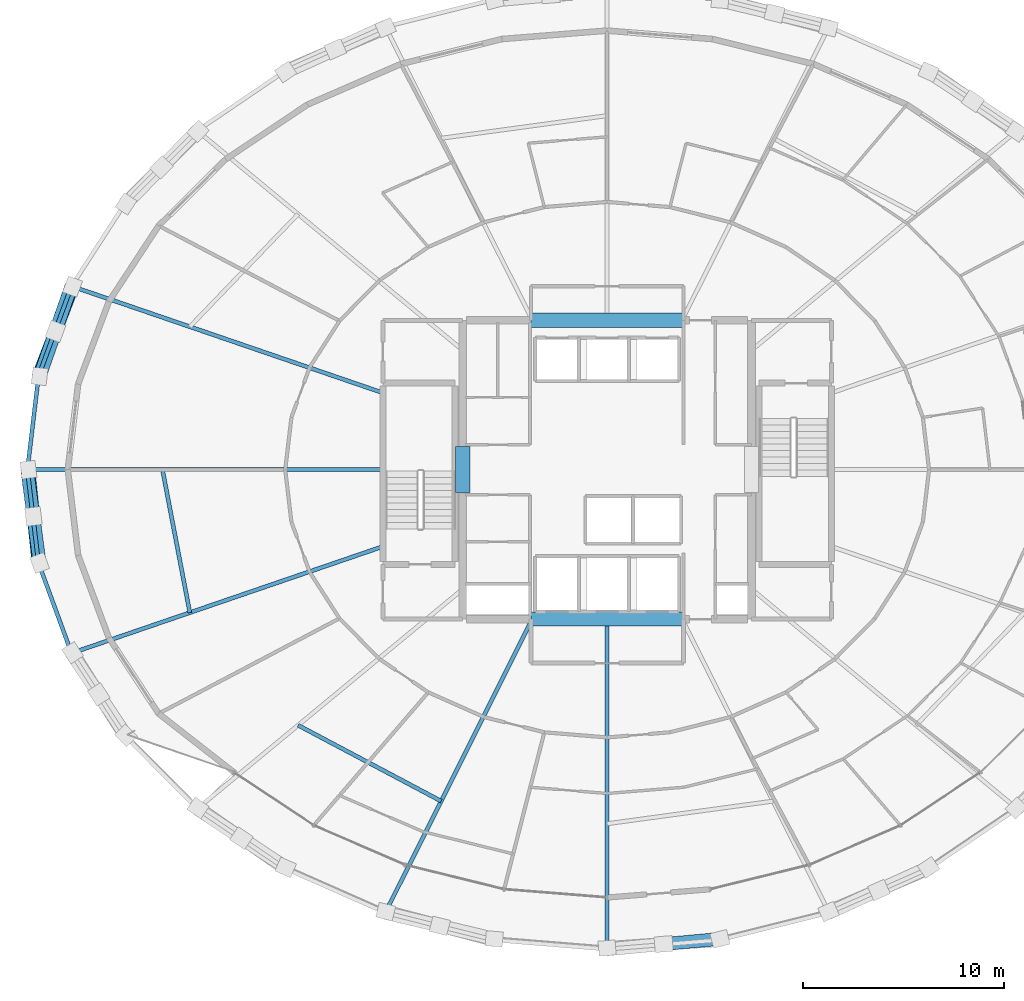
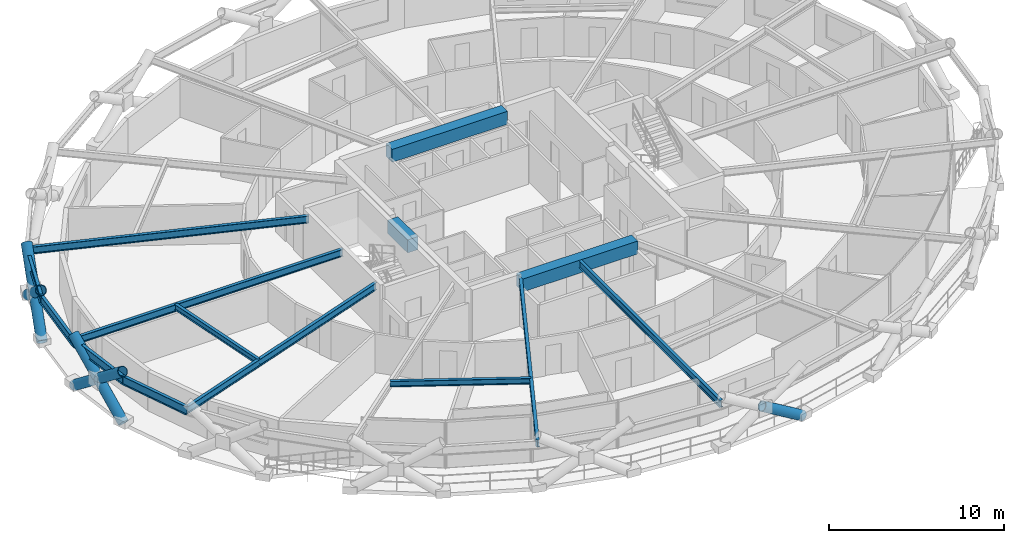
# One storey, part 6 of 21: 14 beams, 7 members.
"""IFC4 building model written with IfcOpenShell, lengths in metres."""

import ifcopenshell
import ifcopenshell.guid

model = None  # the IFC model being written
_history = None  # IfcOwnerHistory: only IFC2X3 demands one
_inside = {}  # id of a spatial element -> (the spatial element, [elements in it])
_under = {}  # id of a project, library or spatial element -> (it, [spatial elements below it])
_declared = {}  # id of a project -> (the project, [libraries it declares])
_typed = {}  # id of a type object -> (the type object, [elements of that type])
_made_of = {}  # id of a material, layer set ... -> (it, [elements and type objects made of it])


def new_model(schema):
    """Start an empty IFC model of exactly this schema.

    Asked for "IFC4X3", IfcOpenShell would pick the latest addendum, in which some entities
    have other attributes; the version numbers below select the first issue.
    IFC2X3 requires an IfcOwnerHistory on every rooted entity: one is made here for all.
    """
    global model, _history
    if schema == "IFC4X3":
        model = ifcopenshell.file(schema_version=(4, 3, 0, 0))
    else:
        model = ifcopenshell.file(schema=schema)
    _inside.clear()
    _under.clear()
    _declared.clear()
    _typed.clear()
    _made_of.clear()
    _history = None
    if model.schema == "IFC2X3":
        org = make("IfcOrganization", Name="unknown")
        user = make(
            "IfcPersonAndOrganization",
            ThePerson=make("IfcPerson", FamilyName="unknown"),
            TheOrganization=org,
        )
        app = make(
            "IfcApplication",
            ApplicationDeveloper=org,
            Version="unknown",
            ApplicationFullName="unknown",
            ApplicationIdentifier="unknown",
        )
        _history = make(
            "IfcOwnerHistory",
            OwningUser=user,
            OwningApplication=app,
            ChangeAction="ADDED",
            CreationDate=0,
        )
    return model


def make(cls, **values):
    """One entity of the class cls with the attributes given. An attribute that is None is left unset."""
    return model.create_entity(
        cls, **{name: value for name, value in values.items() if value is not None}
    )


def rooted(cls, **values):
    """An entity with a GlobalId (a new one), such as an element, a storey or a relation."""
    return make(cls, GlobalId=ifcopenshell.guid.new(), OwnerHistory=_history, **values)


def si_unit(unit_type, name, prefix=None):
    """IfcSIUnit, for example si_unit("LENGTHUNIT", "METRE", prefix="MILLI")."""
    return make("IfcSIUnit", UnitType=unit_type, Prefix=prefix, Name=name)


def assignment(units):
    """IfcUnitAssignment: the units of a project."""
    return None if units is None else make("IfcUnitAssignment", Units=units)


def point(xyz):
    """IfcCartesianPoint."""
    return None if xyz is None else make("IfcCartesianPoint", Coordinates=xyz)


def direction(xyz):
    """IfcDirection."""
    return None if xyz is None else make("IfcDirection", DirectionRatios=xyz)


def frame(location, z_axis=None, x_axis=None):
    """IfcAxis2Placement3D, a coordinate frame: its origin and axes. An axis left out is left unset."""
    return make(
        "IfcAxis2Placement3D",
        Location=point(location),
        Axis=direction(z_axis),
        RefDirection=direction(x_axis),
    )


def frame_2d(location, x_axis=None):
    """IfcAxis2Placement2D, a coordinate frame in the plane: its origin and x axis."""
    return make(
        "IfcAxis2Placement2D", Location=point(location), RefDirection=direction(x_axis)
    )


def origin():
    """The frame at (0, 0, 0) with its axes left unset."""
    return frame((0.0, 0.0, 0.0))


def origin_2d():
    """The frame at (0, 0) in the plane with its x axis left unset."""
    return frame_2d((0.0, 0.0))


def place(relative_to, where):
    """IfcLocalPlacement: puts the frame where relative to a parent placement (None: the world)."""
    return make(
        "IfcLocalPlacement", PlacementRelTo=relative_to, RelativePlacement=where
    )


def context(
    kind, dimensions, precision=None, world=None, true_north=None, identifier=None
):
    """IfcGeometricRepresentationContext, for example the 3D "Model" context."""
    return make(
        "IfcGeometricRepresentationContext",
        ContextIdentifier=identifier,
        ContextType=kind,
        CoordinateSpaceDimension=dimensions,
        Precision=precision,
        WorldCoordinateSystem=world,
        TrueNorth=true_north,
    )


def subcontext(parent, identifier, kind, view, scale=None):
    """IfcGeometricRepresentationSubContext, for example "Body" below "Model"."""
    return make(
        "IfcGeometricRepresentationSubContext",
        ContextIdentifier=identifier,
        ContextType=kind,
        ParentContext=parent,
        TargetScale=scale,
        TargetView=view,
    )


def project(units=None, contexts=None):
    """IfcProject with its units and contexts."""
    return rooted(
        "IfcProject",
        Name="project",
        RepresentationContexts=contexts,
        UnitsInContext=assignment(units),
    )


def spatial(cls, under=None, at=None, **own):
    """A site, building, storey or space (cls), placed at a placement, below another one or the project."""
    s = rooted(cls, ObjectPlacement=at, **own)
    if under is not None:
        _under.setdefault(under.id(), (under, []))[1].append(s)
    return s


def profile(cls, at=None, kind="AREA", **sizes):
    """A parametric profile (cls). Its sizes go by their IFC names, for example OverallWidth=200.0."""
    return make(cls, ProfileType=kind, Position=at, **sizes)


def rectangle(**sizes):
    """IfcRectangleProfileDef."""
    return profile("IfcRectangleProfileDef", **sizes)


def hollow_circle(**sizes):
    """IfcCircleHollowProfileDef."""
    return profile("IfcCircleHollowProfileDef", **sizes)


def i_section(**sizes):
    """IfcIShapeProfileDef."""
    return profile("IfcIShapeProfileDef", **sizes)


def extrude(swept, where, along, depth):
    """IfcExtrudedAreaSolid: the profile swept, set in the frame where, extruded along a direction by depth."""
    return make(
        "IfcExtrudedAreaSolid",
        SweptArea=swept,
        Position=where,
        ExtrudedDirection=direction(along),
        Depth=depth,
    )


def shape(context_of_items, identifier, shape_type, items):
    """IfcShapeRepresentation: the items that make up one representation, for example the "Body"."""
    return make(
        "IfcShapeRepresentation",
        ContextOfItems=context_of_items,
        RepresentationIdentifier=identifier,
        RepresentationType=shape_type,
        Items=items,
    )


def material(Name=None, Category=None):
    """IfcMaterial."""
    return make("IfcMaterial", Name=Name, Category=Category)


def material_profile(
    of_material, cross_section, Name=None, Category=None, Priority=None
):
    """IfcMaterialProfile: a cross section and its material."""
    return make(
        "IfcMaterialProfile",
        Name=Name,
        Material=of_material,
        Profile=cross_section,
        Priority=Priority,
        Category=Category,
    )


def profile_set(profiles, Name=None, composite=None):
    """IfcMaterialProfileSet."""
    return make(
        "IfcMaterialProfileSet",
        Name=Name,
        MaterialProfiles=profiles,
        CompositeProfile=composite,
    )


def made_of(thing, what):
    """Note that an element or type object is made of a material, layer set ...; save() writes the relation."""
    if what is not None:
        _made_of.setdefault(what.id(), (what, []))[1].append(thing)
    return thing


def type_object(cls, material=None, **own):
    """A type object (cls), such as IfcWallType, which elements share."""
    return made_of(rooted(cls, **own), material)


def element(
    cls,
    number,
    at=None,
    inside=None,
    cuts=None,
    type_object=None,
    material=None,
    context=None,
    identifier="Body",
    shape_type=None,
    held_by="IfcProductDefinitionShape",
    body=None,
    shapes=None,
    **own,
):
    """One element of the class cls, such as IfcWall. Its Tag is "e" and its number.

    at: its placement. inside: the storey or other place that contains it. cuts: it is an
    opening in that element (IfcRelVoidsElement). A single representation is given by context,
    identifier, shape_type and body (its items); several are given by shapes. held_by: the class
    of the entity that holds the representations. save() writes the other relations.
    """
    e = rooted(cls, Tag="e%d" % number, ObjectPlacement=at, **own)
    if body is not None:
        shapes = [shape(context, identifier, shape_type, body)]
    if shapes is not None:
        e.Representation = make(held_by, Representations=shapes)
    if inside is not None:
        _inside.setdefault(inside.id(), (inside, []))[1].append(e)
    if cuts is not None:
        rooted(
            "IfcRelVoidsElement", RelatingBuildingElement=cuts, RelatedOpeningElement=e
        )
    if type_object is not None:
        _typed.setdefault(type_object.id(), (type_object, []))[1].append(e)
    return made_of(e, material)


def aggregate(whole, parts):
    """IfcRelAggregates: a whole, such as a stair, and the parts it consists of."""
    return rooted("IfcRelAggregates", RelatingObject=whole, RelatedObjects=parts)


def save(model, path):
    """Write the relations noted so far, then the file.

    IfcRelAggregates (storeys below a building ...), IfcRelContainedInSpatialStructure (elements
    in a storey), IfcRelDefinesByType, IfcRelAssociatesMaterial and IfcRelDeclares: one each for
    every whole, place, type object, material and project.
    """
    for whole, parts in _under.values():
        aggregate(whole, parts)
    for where, things in _inside.values():
        rooted(
            "IfcRelContainedInSpatialStructure",
            RelatedElements=things,
            RelatingStructure=where,
        )
    for kind, things in _typed.values():
        rooted("IfcRelDefinesByType", RelatedObjects=things, RelatingType=kind)
    for what, things in _made_of.values():
        rooted("IfcRelAssociatesMaterial", RelatedObjects=things, RelatingMaterial=what)
    for by, libraries in _declared.values():
        rooted("IfcRelDeclares", RelatingContext=by, RelatedDefinitions=libraries)
    model.write(path)


model = new_model("IFC4")

# Units and contexts
model_context = context("Model", 3, precision=1e-05, world=origin(), true_north=direction((0.0, 1.0)))
body_context = subcontext(model_context, "Body", "Model", "MODEL_VIEW")
ifc_project = project(units=[si_unit("LENGTHUNIT", "METRE"), si_unit("AREAUNIT", "SQUARE_METRE"), si_unit("VOLUMEUNIT", "CUBIC_METRE"), si_unit("PLANEANGLEUNIT", "RADIAN"), si_unit("MASSUNIT", "GRAM", prefix="KILO")], contexts=[model_context])

# Site, building, storey
site_placement = place(None, origin())
site = spatial("IfcSite", under=ifc_project, at=site_placement, CompositionType="ELEMENT")
building_placement = place(site_placement, origin())
building = spatial("IfcBuilding", under=site, at=building_placement, Name="Veldorina Hangang Commons", CompositionType="ELEMENT")
storey_placement = place(building_placement, frame((0.0, 0.0, 66.39990234375)))
storey = spatial("IfcBuildingStorey", under=building, at=storey_placement, Name="L16", CompositionType="ELEMENT", Elevation=66.39990234375)

# Beams
ifc_material_1 = material(Name="Concrete C70/85", Category="concrete")
ifc_material_profile_1 = material_profile(ifc_material_1, rectangle(XDim=0.699951171875, YDim=0.89990234375, at=origin_2d()), Name="RC-CB-700x900")
ifc_profile_set_1 = profile_set([ifc_material_profile_1], Name="Concrete C70/85")
beam_type_1 = type_object("IfcBeamType", Name="BM-CB900", PredefinedType="LINTEL", material=ifc_profile_set_1)
beam_1_placement = place(storey_placement, frame((24.800048828125, 22.85009765625, 2.89013671875), z_axis=(0.0, 1.0, 0.0), x_axis=(-1.0, 0.0, 0.0)))
element("IfcBeam", 1, at=beam_1_placement, inside=storey, type_object=beam_type_1, Name="L16 W core coupling lintel beam", PredefinedType="LINTEL", context=body_context, shape_type="SweptSolid", body=[
    extrude(rectangle(XDim=0.699951171875, YDim=0.89990234375, at=origin_2d()), origin(), (0.0, 0.0, 1.0), 2.2998046875),
])
for number, where, z_axis, x_axis, name in (
    (2, (28.199951171875, 16.550048828125, 2.89013671875), (1.0, 0.0, 0.0), (0.0, 1.0, 0.0), "L16 south core coupling beam"),
    (3, (28.199951171875, 31.449951171875, 2.89013671875), (1.0, 0.0, 0.0), (0.0, 1.0, 0.0), "L16 north core coupling beam"),
):
    element("IfcBeam", number, at=place(storey_placement, frame(where, z_axis=z_axis, x_axis=x_axis)), inside=storey, type_object=beam_type_1, Name=name, PredefinedType="LINTEL", context=body_context, shape_type="SweptSolid", body=[
        extrude(rectangle(XDim=0.699951171875, YDim=0.89990234375, at=origin_2d()), origin(), (0.0, 0.0, 1.0), 7.60009765625),
    ])
ifc_material_2 = material(Name="Steel SM420-TMC", Category="steel")
ifc_material_profile_2 = material_profile(ifc_material_2, i_section(OverallWidth=0.199951171875, OverallDepth=0.5, WebThickness=0.010009765625, FlangeThickness=0.01611328125, FilletRadius=0.01611328125, at=origin_2d()), Name="H-500x200x10x16")
ifc_profile_set_2 = profile_set([ifc_material_profile_2], Name="Steel SM420-TMC")
beam_type_2 = type_object("IfcBeamType", Name="BM-FG500", PredefinedType="BEAM", material=ifc_profile_set_2)
beam_2_placement = place(storey_placement, frame((20.820068359375, 27.829833984375, 3.090087890625), z_axis=(-0.946029500079, 0.324080522372, 0.0), x_axis=(-0.324080522372, -0.946029500079, 0.0)))
element("IfcBeam", 4, at=beam_2_placement, inside=storey, type_object=beam_type_2, Name="L16 radial floor girder 08", PredefinedType="BEAM", context=body_context, shape_type="SweptSolid", body=[
    extrude(i_section(OverallWidth=0.199951171875, OverallDepth=0.5, WebThickness=0.010009765625, FlangeThickness=0.01611328125, FilletRadius=0.01611328125, at=origin_2d()), origin(), (0.0, 0.0, 1.0), 16.411376953125),
])
beam_3_placement = place(storey_placement, frame((20.820068359375, 24.0, 3.090087890625), z_axis=(-1.0, 0.0, 0.0), x_axis=(0.0, -1.0, 0.0)))
element("IfcBeam", 5, at=beam_3_placement, inside=storey, type_object=beam_type_2, Name="L16 radial floor girder 09", PredefinedType="BEAM", context=body_context, shape_type="SweptSolid", body=[
    extrude(i_section(OverallWidth=0.199951171875, OverallDepth=0.5, WebThickness=0.010009765625, FlangeThickness=0.01611328125, FilletRadius=0.01611328125, at=origin_2d()), origin(), (0.0, 0.0, 1.0), 17.725830078125),
])
beam_4_placement = place(storey_placement, frame((20.820068359375, 20.170166015625, 3.090087890625), z_axis=(-0.946029500079, -0.324080522372, 0.0), x_axis=(0.324080522372, -0.946029500079, 0.0)))
element("IfcBeam", 6, at=beam_4_placement, inside=storey, type_object=beam_type_2, Name="L16 radial floor girder 10", PredefinedType="BEAM", context=body_context, shape_type="SweptSolid", body=[
    extrude(i_section(OverallWidth=0.199951171875, OverallDepth=0.5, WebThickness=0.010009765625, FlangeThickness=0.01611328125, FilletRadius=0.01611328125, at=origin_2d()), origin(), (0.0, 0.0, 1.0), 16.411376953125),
])
beam_5_placement = place(storey_placement, frame((28.268798828125, 16.550048828125, 3.090087890625), z_axis=(-0.44782200255, -0.89412272873, 0.0), x_axis=(0.89412272873, -0.44782200255, 0.0)))
element("IfcBeam", 7, at=beam_5_placement, inside=storey, type_object=beam_type_2, Name="L16 radial floor girder 12", PredefinedType="BEAM", context=body_context, shape_type="SweptSolid", body=[
    extrude(i_section(OverallWidth=0.199951171875, OverallDepth=0.5, WebThickness=0.010009765625, FlangeThickness=0.01611328125, FilletRadius=0.01611328125, at=origin_2d()), origin(), (0.0, 0.0, 1.0), 16.369384765625),
])
beam_6_placement = place(storey_placement, frame((32.0, 16.550048828125, 3.090087890625), z_axis=(0.0, -1.0, 0.0), x_axis=(1.0, 0.0, 0.0)))
element("IfcBeam", 8, at=beam_6_placement, inside=storey, type_object=beam_type_2, Name="L16 radial floor girder 13", PredefinedType="BEAM", context=body_context, shape_type="SweptSolid", body=[
    extrude(i_section(OverallWidth=0.199951171875, OverallDepth=0.5, WebThickness=0.010009765625, FlangeThickness=0.01611328125, FilletRadius=0.01611328125, at=origin_2d()), origin(), (0.0, 0.0, 1.0), 16.455810546875),
])
ifc_material_3 = material(Name="Steel SM355-TMC", Category="steel")
ifc_material_profile_3 = material_profile(ifc_material_3, i_section(OverallWidth=0.199951171875, OverallDepth=0.39990234375, WebThickness=0.008056640625, FlangeThickness=0.012939453125, FilletRadius=0.012939453125, at=origin_2d()), Name="H-400x200x8x13")
ifc_profile_set_3 = profile_set([ifc_material_profile_3], Name="Steel SM355-TMC")
beam_type_3 = type_object("IfcBeamType", Name="BM-JST400", PredefinedType="JOIST", material=ifc_profile_set_3)
beam_7_placement = place(storey_placement, frame((9.830078125, 24.0, 3.14013671875), z_axis=(0.187963862545, -0.982175944715, 0.0), x_axis=(0.982175944715, 0.187963862545, 0.0)))
element("IfcBeam", 9, at=beam_7_placement, inside=storey, type_object=beam_type_3, Name="L16 secondary floor joist 09", PredefinedType="JOIST", context=body_context, shape_type="SweptSolid", body=[
    extrude(i_section(OverallWidth=0.199951171875, OverallDepth=0.39990234375, WebThickness=0.008056640625, FlangeThickness=0.012939453125, FilletRadius=0.012939453125, at=origin_2d()), origin(), (0.0, 0.0, 1.0), 7.2568359375),
])
beam_8_placement = place(storey_placement, frame((16.591552734375, 11.2568359375, 3.14013671875), z_axis=(0.883515580858, -0.468401770258, 0.0), x_axis=(0.468401770258, 0.883515580858, 0.0)))
element("IfcBeam", 10, at=beam_8_placement, inside=storey, type_object=beam_type_3, Name="L16 secondary floor joist 11", PredefinedType="JOIST", context=body_context, shape_type="SweptSolid", body=[
    extrude(i_section(OverallWidth=0.199951171875, OverallDepth=0.39990234375, WebThickness=0.008056640625, FlangeThickness=0.012939453125, FilletRadius=0.012939453125, at=origin_2d()), origin(), (0.0, 0.0, 1.0), 8.07275390625),
])
ifc_material_profile_4 = material_profile(ifc_material_2, i_section(OverallWidth=0.199951171875, OverallDepth=0.60009765625, WebThickness=0.010986328125, FlangeThickness=0.01708984375, FilletRadius=0.01806640625, at=origin_2d()), Name="H-600x200x11x17")
ifc_profile_set_4 = profile_set([ifc_material_profile_4], Name="Steel SM420-TMC")
beam_type_4 = type_object("IfcBeamType", Name="BM-RB600", PredefinedType="BEAM", material=ifc_profile_set_4)
beam_9_placement = place(storey_placement, frame((5.29443359375, 33.1484375, 3.0400390625), z_axis=(-0.34433123863, -0.938848229536, 0.0), x_axis=(0.938848229536, -0.34433123863, 0.0)))
element("IfcBeam", 11, at=beam_9_placement, inside=storey, type_object=beam_type_4, Name="L16 perimeter hoop ring beam 14", PredefinedType="BEAM", context=body_context, shape_type="SweptSolid", body=[
    extrude(i_section(OverallWidth=0.199951171875, OverallDepth=0.60009765625, WebThickness=0.010986328125, FlangeThickness=0.01708984375, FilletRadius=0.01806640625, at=origin_2d()), origin(), (0.0, 0.0, 1.0), 4.776611328125),
])
for number, where, z_axis, x_axis, name in (
    (12, (3.649658203125, 28.663818359375, 3.0400390625), (-0.118255601421, -0.992983188545, 0.0), (0.992983188545, -0.118255601421, 0.0), "L16 perimeter hoop ring beam 15"),
    (13, (3.09423828125, 24.0, 3.0400390625), (0.118255601421, -0.992983188545, 0.0), (0.992983188545, 0.118255601421, 0.0), "L16 perimeter hoop ring beam 16"),
):
    element("IfcBeam", number, at=place(storey_placement, frame(where, z_axis=z_axis, x_axis=x_axis)), inside=storey, type_object=beam_type_4, Name=name, PredefinedType="BEAM", context=body_context, shape_type="SweptSolid", body=[
        extrude(i_section(OverallWidth=0.199951171875, OverallDepth=0.60009765625, WebThickness=0.010986328125, FlangeThickness=0.01708984375, FilletRadius=0.01806640625, at=origin_2d()), origin(), (0.0, 0.0, 1.0), 4.69677734375),
    ])
beam_10_placement = place(storey_placement, frame((3.649658203125, 19.336181640625, 3.0400390625), z_axis=(0.34433123863, -0.938848229536, 0.0), x_axis=(0.938848229536, 0.34433123863, 0.0)))
element("IfcBeam", 14, at=beam_10_placement, inside=storey, type_object=beam_type_4, Name="L16 perimeter hoop ring beam 17", PredefinedType="BEAM", context=body_context, shape_type="SweptSolid", body=[
    extrude(i_section(OverallWidth=0.199951171875, OverallDepth=0.60009765625, WebThickness=0.010986328125, FlangeThickness=0.01708984375, FilletRadius=0.01806640625, at=origin_2d()), origin(), (0.0, 0.0, 1.0), 4.776611328125),
])

# Members
ifc_material_4 = material(Name="Steel SM460-TMC", Category="steel")
ifc_material_profile_5 = material_profile(ifc_material_4, hollow_circle(Radius=0.324951171875, WallThickness=0.031982421875, at=origin_2d()), Name="CHS-650x32")
ifc_profile_set_5 = profile_set([ifc_material_profile_5], Name="Steel SM460-TMC")
member_type = type_object("IfcMemberType", Name="DG-CHS650", PredefinedType="BRACE", material=ifc_profile_set_5)
member_1_placement = place(storey_placement, frame((5.3447265625, 33.127685546875, 0.0), z_axis=(-0.28502777292, -0.745978458813, 0.601893103176), x_axis=(0.934135055612, -0.356919735902, 0.0)))
element("IfcMember", 15, at=member_1_placement, inside=storey, type_object=member_type, Name="L16 continuous perimeter diagrid brace 14", PredefinedType="BRACE", context=body_context, shape_type="SweptSolid", body=[
    extrude(hollow_circle(Radius=0.324951171875, WallThickness=0.031982421875, at=origin_2d()), origin(), (0.0, 0.0, 1.0), 5.981201171875),
])
member_2_placement = place(storey_placement, frame((3.702880859375, 28.6533203125, 0.0), z_axis=(0.264950244099, 0.752874365644, 0.602479508123), x_axis=(-0.943292773546, 0.331961960737, 0.0)))
element("IfcMember", 16, at=member_2_placement, inside=storey, type_object=member_type, Name="L16 split perimeter diagrid lower brace 15", PredefinedType="BRACE", context=body_context, shape_type="SweptSolid", body=[
    extrude(hollow_circle(Radius=0.324951171875, WallThickness=0.031982421875, at=origin_2d()), origin(), (0.0, 0.0, 1.0), 2.983642578125),
])
member_3_placement = place(storey_placement, frame((4.493408203125, 30.899658203125, 1.797607421875), z_axis=(0.264738007421, 0.752920116049, 0.602515631562), x_axis=(-0.94338232725, 0.331707378019, 0.0)))
element("IfcMember", 17, at=member_3_placement, inside=storey, type_object=member_type, Name="L16 split perimeter diagrid upper brace 15", PredefinedType="BRACE", context=body_context, shape_type="SweptSolid", body=[
    extrude(hollow_circle(Radius=0.324951171875, WallThickness=0.031982421875, at=origin_2d()), origin(), (0.0, 0.0, 1.0), 2.99169921875),
])
member_4_placement = place(storey_placement, frame((3.1484375, 24.0, 0.0), z_axis=(0.083104728622, -0.788978871681, 0.60877413227), x_axis=(0.994498322122, 0.104752504967, 0.0)))
element("IfcMember", 18, at=member_4_placement, inside=storey, type_object=member_type, Name="L16 continuous perimeter diagrid brace 16", PredefinedType="BRACE", context=body_context, shape_type="SweptSolid", body=[
    extrude(hollow_circle(Radius=0.324951171875, WallThickness=0.031982421875, at=origin_2d()), origin(), (0.0, 0.0, 1.0), 5.91357421875),
])
member_5_placement = place(storey_placement, frame((3.702880859375, 19.3466796875, 0.0), z_axis=(-0.104628510442, 0.786614662234, 0.608514788614), x_axis=(-0.991269691665, -0.131849908557, 0.0)))
element("IfcMember", 19, at=member_5_placement, inside=storey, type_object=member_type, Name="L16 split perimeter diagrid lower brace 17", PredefinedType="BRACE", context=body_context, shape_type="SweptSolid", body=[
    extrude(hollow_circle(Radius=0.324951171875, WallThickness=0.031982421875, at=origin_2d()), origin(), (0.0, 0.0, 1.0), 2.9541015625),
])
member_6_placement = place(storey_placement, frame((3.393798828125, 21.67041015625, 1.797607421875), z_axis=(-0.104523778733, 0.786566164569, 0.608595471915), x_axis=(-0.991285872626, -0.131728200219, 0.0)))
element("IfcMember", 20, at=member_6_placement, inside=storey, type_object=member_type, Name="L16 split perimeter diagrid upper brace 17", PredefinedType="BRACE", context=body_context, shape_type="SweptSolid", body=[
    extrude(hollow_circle(Radius=0.324951171875, WallThickness=0.031982421875, at=origin_2d()), origin(), (0.0, 0.0, 1.0), 2.961669921875),
])
member_7_placement = place(storey_placement, frame((37.628662109375, 0.606689453125, 0.0), z_axis=(-0.839864431879, -0.077896240838, 0.537177728249), x_axis=(0.092352218617, -0.995726402038, 0.0)))
element("IfcMember", 21, at=member_7_placement, inside=storey, type_object=member_type, Name="L16 split perimeter diagrid lower brace 25", PredefinedType="BRACE", context=body_context, shape_type="SweptSolid", body=[
    extrude(hollow_circle(Radius=0.324951171875, WallThickness=0.031982421875, at=origin_2d()), origin(), (0.0, 0.0, 1.0), 3.347412109375),
])

save(model, "model.ifc")
